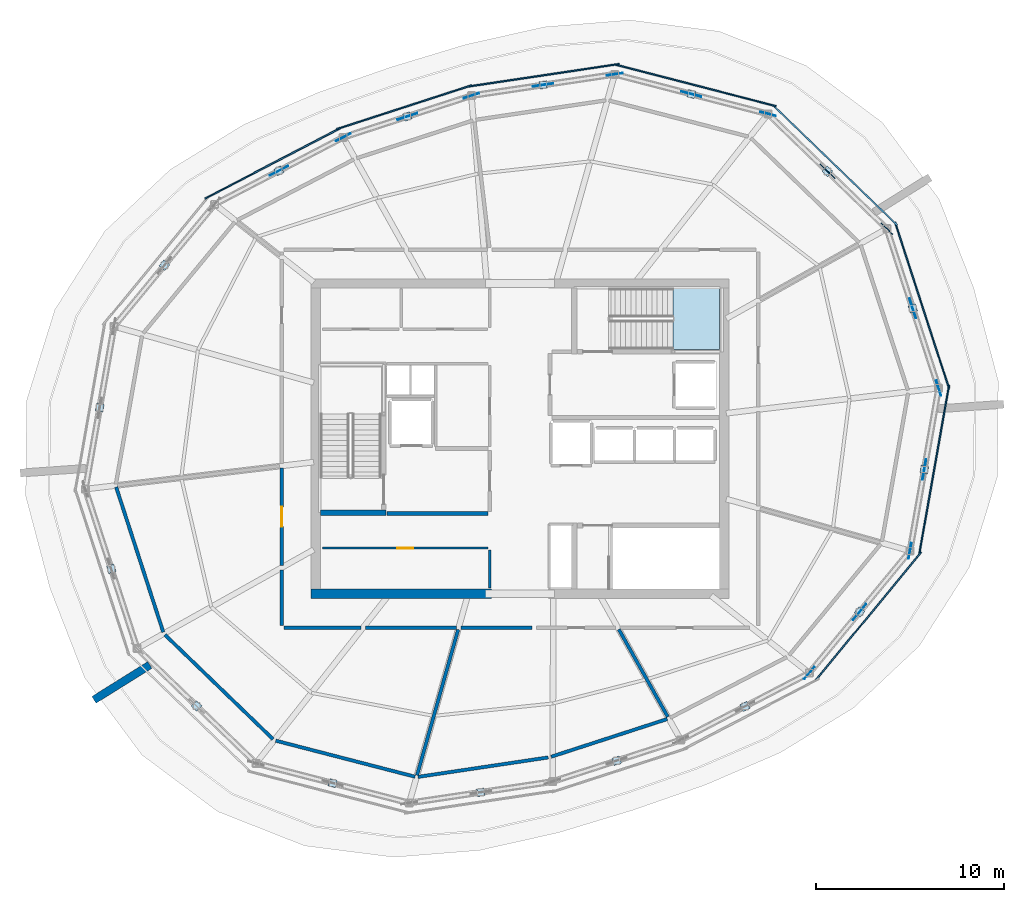
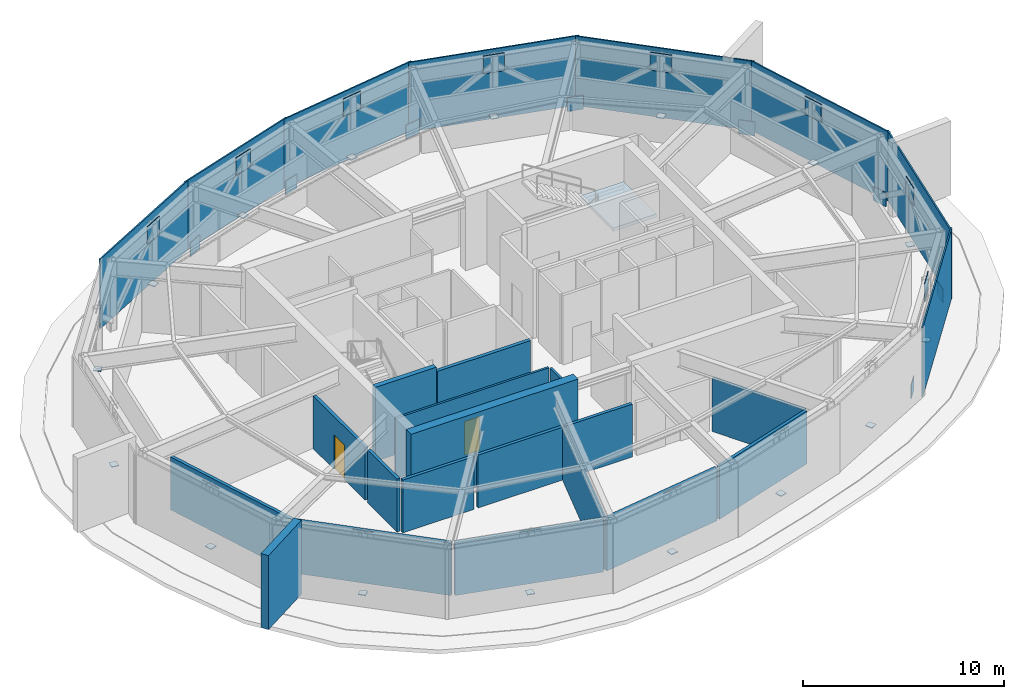
# One storey, part 10 of 14: 40 plates, 18 walls, 2 doors, 1 slab, 2 openings, 1 element without a shape of its own.
"""IFC4 building model written with IfcOpenShell, lengths in metres."""

from ifc_helpers import new_model, si_unit, direction, frame, frame_2d, origin, origin_2d, place, context, subcontext, project, spatial, polyline, rectangle, outline, extrude, material, layer, layer_set, type_object, element, fill, aggregate, save


model = new_model("IFC4")

# Units and contexts
model_context = context("Model", 3, precision=1e-05, world=origin(), true_north=direction((0.0, 1.0)))
body_context = subcontext(model_context, "Body", "Model", "MODEL_VIEW")
ifc_project = project(units=[si_unit("LENGTHUNIT", "METRE"), si_unit("AREAUNIT", "SQUARE_METRE"), si_unit("VOLUMEUNIT", "CUBIC_METRE"), si_unit("PLANEANGLEUNIT", "RADIAN"), si_unit("MASSUNIT", "GRAM", prefix="KILO")], contexts=[model_context])

# Site, building, storey
site_placement = place(None, origin())
site = spatial("IfcSite", under=ifc_project, at=site_placement, CompositionType="ELEMENT")
building_placement = place(site_placement, origin())
building = spatial("IfcBuilding", under=site, at=building_placement, Name="Kazma Halo Residences", CompositionType="ELEMENT")
storey_placement = place(building_placement, frame((0.0, 0.0, 351.5)))
storey = spatial("IfcBuildingStorey", under=building, at=storey_placement, Name="L88", CompositionType="ELEMENT", Elevation=351.5)

# Plates
ifc_material_1 = material(Name="Aluminium AW-6063 T6 Perforated Acoustic Louvre Screen", Category="aluminium")
ifc_layer_1 = layer(ifc_material_1, 0.080078125)
ifc_layer_set_1 = layer_set([ifc_layer_1], Name="Aluminium AW-6063 T6 Perforated Acoustic Louvre Screen")
plate_type_1 = type_object("IfcPlateType", Name="PLT-CROWN-LOUVRE", PredefinedType="SHEET", material=ifc_layer_set_1)
plate_1_placement = place(storey_placement, frame((65.17578125, 56.556640625, 0.0), z_axis=(0.0, 0.0, 1.0), x_axis=(-0.719342064482, 0.694656025863, 0.0)))
element("IfcPlate", 1, at=plate_1_placement, inside=storey, type_object=plate_type_1, Name="L88 pale-metal acoustic louvre screen 01", PredefinedType="SHEET", context=body_context, shape_type="SweptSolid", body=[
    extrude(rectangle(XDim=9.1904296875, YDim=0.080078125, at=origin_2d()), origin(), (0.0, 0.0, 1.0), 4.219970703125),
])
plate_2_placement = place(storey_placement, frame((57.781982421875, 60.789306640625, 0.0), z_axis=(0.0, 0.0, 1.0), x_axis=(-0.968124370805, 0.250469963576, 0.0)))
element("IfcPlate", 2, at=plate_2_placement, inside=storey, type_object=plate_type_1, Name="L88 pale-metal acoustic louvre screen 02", PredefinedType="SHEET", context=body_context, shape_type="SweptSolid", body=[
    extrude(rectangle(XDim=8.8193359375, YDim=0.080078125, at=origin_2d()), origin(), (0.0, 0.0, 1.0), 4.219970703125),
])
plate_3_placement = place(storey_placement, frame((49.69921875, 61.3310546875, 0.0), z_axis=(0.0, 0.0, 1.0), x_axis=(-0.98903421845, -0.147686542161, 0.0)))
element("IfcPlate", 3, at=plate_3_placement, inside=storey, type_object=plate_type_1, Name="L88 pale-metal acoustic louvre screen 03", PredefinedType="SHEET", context=body_context, shape_type="SweptSolid", body=[
    extrude(rectangle(XDim=8.110107421875, YDim=0.080078125, at=origin_2d()), origin(), (0.0, 0.0, 1.0), 4.219970703125),
])
plate_4_placement = place(storey_placement, frame((42.271484375, 59.630615234375, 0.0), z_axis=(0.0, 0.0, 1.0), x_axis=(-0.951058260985, -0.309011624721, 0.0)))
element("IfcPlate", 4, at=plate_4_placement, inside=storey, type_object=plate_type_1, Name="L88 pale-metal acoustic louvre screen 04", PredefinedType="SHEET", context=body_context, shape_type="SweptSolid", body=[
    extrude(rectangle(XDim=7.568115234375, YDim=0.080078125, at=origin_2d()), origin(), (0.0, 0.0, 1.0), 4.219970703125),
])
plate_5_placement = place(storey_placement, frame((35.262939453125, 56.640380859375, 0.0), z_axis=(0.0, 0.0, 1.0), x_axis=(-0.886949727325, -0.461865977529, 0.0)))
element("IfcPlate", 5, at=plate_5_placement, inside=storey, type_object=plate_type_1, Name="L88 pale-metal acoustic louvre screen 05", PredefinedType="SHEET", context=body_context, shape_type="SweptSolid", body=[
    extrude(rectangle(XDim=8.110107421875, YDim=0.080078125, at=origin_2d()), origin(), (0.0, 0.0, 1.0), 4.219970703125),
])
plate_6_placement = place(storey_placement, frame((66.9580078125, 32.548828125, 0.0), z_axis=(0.0, 0.0, 1.0), x_axis=(0.636007787073, 0.771682638643, 0.0)))
element("IfcPlate", 6, at=plate_6_placement, inside=storey, type_object=plate_type_1, Name="L88 pale-metal acoustic louvre screen 14", PredefinedType="SHEET", context=body_context, shape_type="SweptSolid", body=[
    extrude(rectangle(XDim=8.8193359375, YDim=0.080078125, at=origin_2d()), origin(), (0.0, 0.0, 1.0), 4.219970703125),
])
plate_7_placement = place(storey_placement, frame((70.45166015625, 40.319091796875, 0.0), z_axis=(0.0, 0.0, 1.0), x_axis=(0.173656186938, 0.984806340728, 0.0)))
element("IfcPlate", 7, at=plate_7_placement, inside=storey, type_object=plate_type_1, Name="L88 pale-metal acoustic louvre screen 15", PredefinedType="SHEET", context=body_context, shape_type="SweptSolid", body=[
    extrude(rectangle(XDim=9.1904296875, YDim=0.080078125, at=origin_2d()), origin(), (0.0, 0.0, 1.0), 4.219970703125),
])
plate_8_placement = place(storey_placement, frame((69.81298828125, 49.08740234375, 0.0), z_axis=(0.0, 0.0, 1.0), x_axis=(-0.309022680214, 0.951054668835, 0.0)))
element("IfcPlate", 8, at=plate_8_placement, inside=storey, type_object=plate_type_1, Name="L88 pale-metal acoustic louvre screen 16", PredefinedType="SHEET", context=body_context, shape_type="SweptSolid", body=[
    extrude(rectangle(XDim=9.3173828125, YDim=0.080078125, at=origin_2d()), origin(), (0.0, 0.0, 1.0), 4.219970703125),
])
ifc_material_2 = material(Name="Steel S355", Category="steel")
ifc_layer_2 = layer(ifc_material_2, 0.0400390625)
ifc_layer_set_2 = layer_set([ifc_layer_2], Name="Steel S355")
plate_type_2 = type_object("IfcPlateType", Name="PLT-GUSSET-40", PredefinedType="SHEET", material=ifc_layer_set_2)
plate_9_placement = place(storey_placement, frame((64.779052734375, 56.220458984375, 0.43994140625), z_axis=(0.0, 0.0, 1.0), x_axis=(-0.719342064482, 0.694656025863, 0.0)))
element("IfcPlate", 9, at=plate_9_placement, inside=storey, type_object=plate_type_2, Name="L88 belt-truss post welded cap plate 01", PredefinedType="SHEET", context=body_context, shape_type="SweptSolid", body=[
    extrude(rectangle(XDim=0.39990234375, YDim=0.39990234375, at=origin_2d()), origin(), (0.0, 0.0, 1.0), 0.0400390625),
])
plate_10_placement = place(storey_placement, frame((64.779052734375, 56.220458984375, 3.14990234375), z_axis=(0.0, 0.0, 1.0), x_axis=(-0.719342064482, 0.694656025863, 0.0)))
element("IfcPlate", 10, at=plate_10_placement, inside=storey, type_object=plate_type_2, Name="L88 belt-truss apex gusset plate 01", PredefinedType="SHEET", context=body_context, shape_type="SweptSolid", body=[
    extrude(rectangle(XDim=1.10009765625, YDim=0.0400390625, at=origin_2d()), origin(), (0.0, 0.0, 1.0), 1.10009765625),
])
plate_11_placement = place(storey_placement, frame((67.940673828125, 53.167236328125, 0.054931640625), z_axis=(0.0, 0.0, 1.0), x_axis=(-0.719342064482, 0.694656025863, 0.0)))
element("IfcPlate", 11, at=plate_11_placement, inside=storey, type_object=plate_type_2, Name="L88 belt-truss column gusset plate 01", PredefinedType="SHEET", context=body_context, shape_type="SweptSolid", body=[
    extrude(rectangle(XDim=0.85009765625, YDim=0.0400390625, at=origin_2d()), origin(), (0.0, 0.0, 1.0), 0.85009765625),
])
plate_12_placement = place(storey_placement, frame((57.5419921875, 60.327880859375, 0.43994140625), z_axis=(0.0, 0.0, 1.0), x_axis=(-0.968124370805, 0.250469963576, 0.0)))
element("IfcPlate", 12, at=plate_12_placement, inside=storey, type_object=plate_type_2, Name="L88 belt-truss post welded cap plate 02", PredefinedType="SHEET", context=body_context, shape_type="SweptSolid", body=[
    extrude(rectangle(XDim=0.39990234375, YDim=0.39990234375, at=origin_2d()), origin(), (0.0, 0.0, 1.0), 0.0400390625),
])
plate_13_placement = place(storey_placement, frame((57.5419921875, 60.327880859375, 3.14990234375), z_axis=(0.0, 0.0, 1.0), x_axis=(-0.968124370805, 0.250469963576, 0.0)))
element("IfcPlate", 13, at=plate_13_placement, inside=storey, type_object=plate_type_2, Name="L88 belt-truss apex gusset plate 02", PredefinedType="SHEET", context=body_context, shape_type="SweptSolid", body=[
    extrude(rectangle(XDim=1.10009765625, YDim=0.0400390625, at=origin_2d()), origin(), (0.0, 0.0, 1.0), 1.10009765625),
])
plate_14_placement = place(storey_placement, frame((61.617431640625, 59.273681640625, 0.054931640625), z_axis=(0.0, 0.0, 1.0), x_axis=(-0.968124370805, 0.250469963576, 0.0)))
element("IfcPlate", 14, at=plate_14_placement, inside=storey, type_object=plate_type_2, Name="L88 belt-truss column gusset plate 02", PredefinedType="SHEET", context=body_context, shape_type="SweptSolid", body=[
    extrude(rectangle(XDim=0.85009765625, YDim=0.0400390625, at=origin_2d()), origin(), (0.0, 0.0, 1.0), 0.85009765625),
])
plate_15_placement = place(storey_placement, frame((49.653564453125, 60.81298828125, 0.43994140625), z_axis=(0.0, 0.0, 1.0), x_axis=(-0.98903421845, -0.147686542161, 0.0)))
element("IfcPlate", 15, at=plate_15_placement, inside=storey, type_object=plate_type_2, Name="L88 belt-truss post welded cap plate 03", PredefinedType="SHEET", context=body_context, shape_type="SweptSolid", body=[
    extrude(rectangle(XDim=0.39990234375, YDim=0.39990234375, at=origin_2d()), origin(), (0.0, 0.0, 1.0), 0.0400390625),
])
plate_16_placement = place(storey_placement, frame((49.653564453125, 60.81298828125, 3.14990234375), z_axis=(0.0, 0.0, 1.0), x_axis=(-0.98903421845, -0.147686542161, 0.0)))
element("IfcPlate", 16, at=plate_16_placement, inside=storey, type_object=plate_type_2, Name="L88 belt-truss apex gusset plate 03", PredefinedType="SHEET", context=body_context, shape_type="SweptSolid", body=[
    extrude(rectangle(XDim=1.10009765625, YDim=0.0400390625, at=origin_2d()), origin(), (0.0, 0.0, 1.0), 1.10009765625),
])
plate_17_placement = place(storey_placement, frame((53.46630859375, 61.38232421875, 0.054931640625), z_axis=(0.0, 0.0, 1.0), x_axis=(-0.98903421845, -0.147686542161, 0.0)))
element("IfcPlate", 17, at=plate_17_placement, inside=storey, type_object=plate_type_2, Name="L88 belt-truss column gusset plate 03", PredefinedType="SHEET", context=body_context, shape_type="SweptSolid", body=[
    extrude(rectangle(XDim=0.85009765625, YDim=0.0400390625, at=origin_2d()), origin(), (0.0, 0.0, 1.0), 0.85009765625),
])
plate_18_placement = place(storey_placement, frame((42.43212890625, 59.13623046875, 0.43994140625), z_axis=(0.0, 0.0, 1.0), x_axis=(-0.951058260985, -0.309011624721, 0.0)))
element("IfcPlate", 18, at=plate_18_placement, inside=storey, type_object=plate_type_2, Name="L88 belt-truss post welded cap plate 04", PredefinedType="SHEET", context=body_context, shape_type="SweptSolid", body=[
    extrude(rectangle(XDim=0.39990234375, YDim=0.39990234375, at=origin_2d()), origin(), (0.0, 0.0, 1.0), 0.0400390625),
])
plate_19_placement = place(storey_placement, frame((42.43212890625, 59.13623046875, 3.14990234375), z_axis=(0.0, 0.0, 1.0), x_axis=(-0.951058260985, -0.309011624721, 0.0)))
element("IfcPlate", 19, at=plate_19_placement, inside=storey, type_object=plate_type_2, Name="L88 belt-truss apex gusset plate 04", PredefinedType="SHEET", context=body_context, shape_type="SweptSolid", body=[
    extrude(rectangle(XDim=1.10009765625, YDim=0.0400390625, at=origin_2d()), origin(), (0.0, 0.0, 1.0), 1.10009765625),
])
plate_20_placement = place(storey_placement, frame((45.8408203125, 60.24365234375, 0.054931640625), z_axis=(0.0, 0.0, 1.0), x_axis=(-0.951058260985, -0.309011624721, 0.0)))
element("IfcPlate", 20, at=plate_20_placement, inside=storey, type_object=plate_type_2, Name="L88 belt-truss column gusset plate 04", PredefinedType="SHEET", context=body_context, shape_type="SweptSolid", body=[
    extrude(rectangle(XDim=0.85009765625, YDim=0.0400390625, at=origin_2d()), origin(), (0.0, 0.0, 1.0), 0.85009765625),
])
plate_21_placement = place(storey_placement, frame((35.604248046875, 56.248046875, 0.43994140625), z_axis=(0.0, 0.0, 1.0), x_axis=(-0.886949727325, -0.461865977529, 0.0)))
element("IfcPlate", 21, at=plate_21_placement, inside=storey, type_object=plate_type_2, Name="L88 belt-truss post welded cap plate 05", PredefinedType="SHEET", context=body_context, shape_type="SweptSolid", body=[
    extrude(rectangle(XDim=0.39990234375, YDim=0.39990234375, at=origin_2d()), origin(), (0.0, 0.0, 1.0), 0.0400390625),
])
plate_22_placement = place(storey_placement, frame((35.604248046875, 56.248046875, 3.14990234375), z_axis=(0.0, 0.0, 1.0), x_axis=(-0.886949727325, -0.461865977529, 0.0)))
element("IfcPlate", 22, at=plate_22_placement, inside=storey, type_object=plate_type_2, Name="L88 belt-truss apex gusset plate 05", PredefinedType="SHEET", context=body_context, shape_type="SweptSolid", body=[
    extrude(rectangle(XDim=1.10009765625, YDim=0.0400390625, at=origin_2d()), origin(), (0.0, 0.0, 1.0), 1.10009765625),
])
plate_23_placement = place(storey_placement, frame((39.0234375, 58.02880859375, 0.054931640625), z_axis=(0.0, 0.0, 1.0), x_axis=(-0.886949727325, -0.461865977529, 0.0)))
element("IfcPlate", 23, at=plate_23_placement, inside=storey, type_object=plate_type_2, Name="L88 belt-truss column gusset plate 05", PredefinedType="SHEET", context=body_context, shape_type="SweptSolid", body=[
    extrude(rectangle(XDim=0.85009765625, YDim=0.0400390625, at=origin_2d()), origin(), (0.0, 0.0, 1.0), 0.85009765625),
])
for number, where, z_axis, x_axis, name in (
    (24, (29.507568359375, 51.218994140625, 0.43994140625), (0.0, 0.0, 1.0), (-0.636007787073, -0.771682638643, 0.0), "L88 belt-truss post welded cap plate 06"),
    (25, (26.06689453125, 43.64208984375, 0.43994140625), (0.0, 0.0, 1.0), (-0.173656186938, -0.984806340728, 0.0), "L88 belt-truss post welded cap plate 07"),
    (26, (26.681396484375, 35.0732421875, 0.43994140625), (0.0, 0.0, 1.0), (0.309022680214, -0.951054668835, 0.0), "L88 belt-truss post welded cap plate 08"),
    (27, (31.220947265625, 27.779541015625, 0.43994140625), (0.0, 0.0, 1.0), (0.719342064482, -0.694656025863, 0.0), "L88 belt-truss post welded cap plate 09"),
    (28, (38.4580078125, 23.672119140625, 0.43994140625), (0.0, 0.0, 1.0), (0.968124370805, -0.250469963576, 0.0), "L88 belt-truss post welded cap plate 10"),
    (29, (46.346435546875, 23.18701171875, 0.43994140625), (0.0, 0.0, 1.0), (0.98903421845, 0.147686542161, 0.0), "L88 belt-truss post welded cap plate 11"),
    (30, (53.56787109375, 24.86376953125, 0.43994140625), (0.0, 0.0, 1.0), (0.951058260985, 0.309011624721, 0.0), "L88 belt-truss post welded cap plate 12"),
    (31, (60.395751953125, 27.751708984375, 0.43994140625), (0.0, 0.0, 1.0), (0.886949727325, 0.461865977529, 0.0), "L88 belt-truss post welded cap plate 13"),
    (32, (66.492431640625, 32.781005859375, 0.43994140625), (0.0, 0.0, 1.0), (0.636007787073, 0.771682638643, 0.0), "L88 belt-truss post welded cap plate 14"),
):
    element("IfcPlate", number, at=place(storey_placement, frame(where, z_axis=z_axis, x_axis=x_axis)), inside=storey, type_object=plate_type_2, Name=name, PredefinedType="SHEET", context=body_context, shape_type="SweptSolid", body=[
        extrude(rectangle(XDim=0.39990234375, YDim=0.39990234375, at=origin_2d()), origin(), (0.0, 0.0, 1.0), 0.0400390625),
    ])
plate_24_placement = place(storey_placement, frame((66.492431640625, 32.781005859375, 3.14990234375), z_axis=(0.0, 0.0, 1.0), x_axis=(0.636007787073, 0.771682638643, 0.0)))
element("IfcPlate", 33, at=plate_24_placement, inside=storey, type_object=plate_type_2, Name="L88 belt-truss apex gusset plate 14", PredefinedType="SHEET", context=body_context, shape_type="SweptSolid", body=[
    extrude(rectangle(XDim=1.10009765625, YDim=0.0400390625, at=origin_2d()), origin(), (0.0, 0.0, 1.0), 1.10009765625),
])
plate_25_placement = place(storey_placement, frame((63.815185546875, 29.532470703125, 0.054931640625), z_axis=(0.0, 0.0, 1.0), x_axis=(0.636007787073, 0.771682638643, 0.0)))
element("IfcPlate", 34, at=plate_25_placement, inside=storey, type_object=plate_type_2, Name="L88 belt-truss column gusset plate 14", PredefinedType="SHEET", context=body_context, shape_type="SweptSolid", body=[
    extrude(rectangle(XDim=0.85009765625, YDim=0.0400390625, at=origin_2d()), origin(), (0.0, 0.0, 1.0), 0.85009765625),
])
plate_26_placement = place(storey_placement, frame((69.93310546875, 40.35791015625, 0.43994140625), z_axis=(0.0, 0.0, 1.0), x_axis=(0.173656186938, 0.984806340728, 0.0)))
element("IfcPlate", 35, at=plate_26_placement, inside=storey, type_object=plate_type_2, Name="L88 belt-truss post welded cap plate 15", PredefinedType="SHEET", context=body_context, shape_type="SweptSolid", body=[
    extrude(rectangle(XDim=0.39990234375, YDim=0.39990234375, at=origin_2d()), origin(), (0.0, 0.0, 1.0), 0.0400390625),
])
plate_27_placement = place(storey_placement, frame((69.93310546875, 40.35791015625, 3.14990234375), z_axis=(0.0, 0.0, 1.0), x_axis=(0.173656186938, 0.984806340728, 0.0)))
element("IfcPlate", 36, at=plate_27_placement, inside=storey, type_object=plate_type_2, Name="L88 belt-truss apex gusset plate 15", PredefinedType="SHEET", context=body_context, shape_type="SweptSolid", body=[
    extrude(rectangle(XDim=1.10009765625, YDim=0.0400390625, at=origin_2d()), origin(), (0.0, 0.0, 1.0), 1.10009765625),
])
plate_28_placement = place(storey_placement, frame((69.169921875, 36.029541015625, 0.054931640625), z_axis=(0.0, 0.0, 1.0), x_axis=(0.173656186938, 0.984806340728, 0.0)))
element("IfcPlate", 37, at=plate_28_placement, inside=storey, type_object=plate_type_2, Name="L88 belt-truss column gusset plate 15", PredefinedType="SHEET", context=body_context, shape_type="SweptSolid", body=[
    extrude(rectangle(XDim=0.85009765625, YDim=0.0400390625, at=origin_2d()), origin(), (0.0, 0.0, 1.0), 0.85009765625),
])
plate_29_placement = place(storey_placement, frame((69.318603515625, 48.9267578125, 0.43994140625), z_axis=(0.0, 0.0, 1.0), x_axis=(-0.309022680214, 0.951054668835, 0.0)))
element("IfcPlate", 38, at=plate_29_placement, inside=storey, type_object=plate_type_2, Name="L88 belt-truss post welded cap plate 16", PredefinedType="SHEET", context=body_context, shape_type="SweptSolid", body=[
    extrude(rectangle(XDim=0.39990234375, YDim=0.39990234375, at=origin_2d()), origin(), (0.0, 0.0, 1.0), 0.0400390625),
])
plate_30_placement = place(storey_placement, frame((69.318603515625, 48.9267578125, 3.14990234375), z_axis=(0.0, 0.0, 1.0), x_axis=(-0.309022680214, 0.951054668835, 0.0)))
element("IfcPlate", 39, at=plate_30_placement, inside=storey, type_object=plate_type_2, Name="L88 belt-truss apex gusset plate 16", PredefinedType="SHEET", context=body_context, shape_type="SweptSolid", body=[
    extrude(rectangle(XDim=1.10009765625, YDim=0.0400390625, at=origin_2d()), origin(), (0.0, 0.0, 1.0), 1.10009765625),
])
plate_31_placement = place(storey_placement, frame((70.6962890625, 44.686279296875, 0.054931640625), z_axis=(0.0, 0.0, 1.0), x_axis=(-0.309022680214, 0.951054668835, 0.0)))
element("IfcPlate", 40, at=plate_31_placement, inside=storey, type_object=plate_type_2, Name="L88 belt-truss column gusset plate 16", PredefinedType="SHEET", context=body_context, shape_type="SweptSolid", body=[
    extrude(rectangle(XDim=0.85009765625, YDim=0.0400390625, at=origin_2d()), origin(), (0.0, 0.0, 1.0), 0.85009765625),
])

# Stair, slab
ifc_material_3 = material(Name="Concrete C50/60", Category="concrete")
stair_type = type_object("IfcStairType", Name="STR-CRWN", PredefinedType="HALF_TURN_STAIR", material=ifc_material_3)
stair_placement = place(storey_placement, origin())
stair = element("IfcStair", 41, at=stair_placement, inside=storey, type_object=stair_type, Name="L88 Core exit stair ST-02", PredefinedType="HALF_TURN_STAIR")
ifc_layer_3 = layer(ifc_material_3, 0.199951171875)
ifc_layer_set_3 = layer_set([ifc_layer_3], Name="Concrete C50/60")
slab_type = type_object("IfcSlabType", Name="SLB-STAIR-LND-200", PredefinedType="LANDING", material=ifc_layer_set_3)
slab_placement = place(storey_placement, frame((0.0, 0.0, 2.050048828125)))
slab = element("IfcSlab", 42, at=slab_placement, type_object=slab_type, Name="ST-02 landing 1", PredefinedType="LANDING", context=body_context, shape_type="SweptSolid", body=[
    extrude(outline(polyline([(56.56005859375, 46.75), (59.050048828125, 46.75), (59.050048828125, 50.0), (56.56005859375, 50.0), (56.56005859375, 46.75)])), origin(), (0.0, 0.0, 1.0), 0.199951171875),
])
aggregate(stair, [slab])

# Walls
ifc_material_4 = material(Name="Pale Concrete C60/75", Category="concrete")
ifc_layer_4 = layer(ifc_material_4, 0.419921875)
ifc_layer_set_4 = layer_set([ifc_layer_4], Name="Pale Concrete C60/75")
wall_type_1 = type_object("IfcWallType", Name="WL-BLADE-420", PredefinedType="SOLIDWALL", material=ifc_layer_set_4)
wall_1_placement = place(storey_placement, frame((28.731201171875, 29.95947265625, 0.0), z_axis=(0.0, 0.0, 1.0), x_axis=(-0.848033572426, -0.529942506352, 0.0)))
element("IfcWall", 43, at=wall_1_placement, inside=storey, type_object=wall_type_1, Name="L88 pale concrete structural blade fin wall BW-03", PredefinedType="SOLIDWALL", context=body_context, shape_type="SweptSolid", body=[
    extrude(rectangle(XDim=3.5, YDim=0.419921875, at=frame_2d((1.75, 0.0))), origin(), (0.0, 0.0, 1.0), 4.5),
])
ifc_material_5 = material(Name="Concrete C60/75", Category="concrete")
ifc_layer_5 = layer(ifc_material_5, 0.5)
ifc_layer_set_5 = layer_set([ifc_layer_5], Name="Concrete C60/75")
wall_type_2 = type_object("IfcWallType", Name="WL-CORE-500", PredefinedType="SHEAR", material=ifc_layer_set_5)
wall_2_placement = place(storey_placement, frame((37.300048828125, 33.75, 0.0), z_axis=(0.0, 0.0, 1.0), x_axis=(1.0, 0.0, 0.0)))
element("IfcWall", 44, at=wall_2_placement, inside=storey, type_object=wall_type_2, Name="L88 central core shear wall SW", PredefinedType="SHEAR", context=body_context, shape_type="SweptSolid", body=[
    extrude(rectangle(XDim=9.599853515625, YDim=0.5, at=frame_2d((4.7998046875, 0.0))), origin(), (0.0, 0.0, 1.0), 4.5),
])
ifc_layer_6 = layer(ifc_material_5, 0.280029296875)
ifc_layer_set_6 = layer_set([ifc_layer_6], Name="Concrete C60/75")
wall_type_3 = type_object("IfcWallType", Name="WL-CORE-ST-280", PredefinedType="SHEAR", material=ifc_layer_set_6)
wall_3_placement = place(storey_placement, frame((37.800048828125, 38.06005859375, 0.0), z_axis=(0.0, 0.0, 1.0), x_axis=(1.0, 0.0, 0.0)))
element("IfcWall", 45, at=wall_3_placement, inside=storey, type_object=wall_type_3, Name="L88 stairwell bearing wall ST01-S", PredefinedType="SHEAR", context=body_context, shape_type="SweptSolid", body=[
    extrude(rectangle(XDim=3.5, YDim=0.280029296875, at=frame_2d((1.75, 0.0))), origin(), (0.0, 0.0, 1.0), 4.5),
])
ifc_material_6 = material(Name="Acoustic Twin-Stud Gypsum")
ifc_layer_7 = layer(ifc_material_6, 0.179931640625)
ifc_layer_set_7 = layer_set([ifc_layer_7], Name="Acoustic Twin-Stud Gypsum")
wall_type_4 = type_object("IfcWallType", Name="WL-DEM-180", PredefinedType="PARTITIONING", material=ifc_layer_set_7)
wall_4_placement = place(storey_placement, frame((26.940673828125, 39.428466796875, 0.0), z_axis=(0.0, 0.0, 1.0), x_axis=(0.309024234991, -0.951054163646, 0.0)))
element("IfcWall", 46, at=wall_4_placement, inside=storey, type_object=wall_type_4, Name="L88 crown plant perimeter wall 07", PredefinedType="PARTITIONING", context=body_context, shape_type="SweptSolid", body=[
    extrude(rectangle(XDim=8.1240234375, YDim=0.179931640625, at=frame_2d((4.06201171875, 0.0))), origin(), (0.0, 0.0, 1.0), 3.212890625),
])
wall_5_placement = place(storey_placement, frame((29.533203125, 31.5703125, 0.0), z_axis=(0.0, 0.0, 1.0), x_axis=(0.719364153135, -0.694633151516, 0.0)))
element("IfcWall", 47, at=wall_5_placement, inside=storey, type_object=wall_type_4, Name="L88 crown plant perimeter wall 08", PredefinedType="PARTITIONING", context=body_context, shape_type="SweptSolid", body=[
    extrude(rectangle(XDim=8.006103515625, YDim=0.179931640625, at=frame_2d((4.0029296875, 0.0))), origin(), (0.0, 0.0, 1.0), 3.212890625),
])
wall_6_placement = place(storey_placement, frame((35.42724609375, 25.93359375, 0.0), z_axis=(0.0, 0.0, 1.0), x_axis=(0.968117205342, -0.250497658115, 0.0)))
element("IfcWall", 48, at=wall_6_placement, inside=storey, type_object=wall_type_4, Name="L88 crown plant perimeter wall 09", PredefinedType="PARTITIONING", context=body_context, shape_type="SweptSolid", body=[
    extrude(rectangle(XDim=7.66162109375, YDim=0.179931640625, at=frame_2d((3.830810546875, 0.0))), origin(), (0.0, 0.0, 1.0), 3.212890625),
])
wall_7_placement = place(storey_placement, frame((43.0009765625, 24.00634765625, 0.0), z_axis=(0.0, 0.0, 1.0), x_axis=(0.989034336252, 0.147685753256, 0.0)))
element("IfcWall", 49, at=wall_7_placement, inside=storey, type_object=wall_type_4, Name="L88 crown plant perimeter wall 10", PredefinedType="PARTITIONING", context=body_context, shape_type="SweptSolid", body=[
    extrude(rectangle(XDim=7.002685546875, YDim=0.179931640625, at=frame_2d((3.50146484375, 0.0))), origin(), (0.0, 0.0, 1.0), 3.212890625),
])
wall_8_placement = place(storey_placement, frame((50.08203125, 25.076904296875, 0.0), z_axis=(0.0, 0.0, 1.0), x_axis=(0.95105283999, 0.309028308649, 0.0)))
element("IfcWall", 50, at=wall_8_placement, inside=storey, type_object=wall_type_4, Name="L88 crown plant perimeter wall 11", PredefinedType="PARTITIONING", context=body_context, shape_type="SweptSolid", body=[
    extrude(rectangle(XDim=6.498779296875, YDim=0.179931640625, at=frame_2d((3.24951171875, 0.0))), origin(), (0.0, 0.0, 1.0), 3.212890625),
])

# Wall, opening, door
wall_9_placement = place(storey_placement, frame((35.75, 40.43017578125, 0.0), z_axis=(0.0, 0.0, 1.0), x_axis=(0.0, -1.0, 0.0)))
wall_9 = element("IfcWall", 51, at=wall_9_placement, inside=storey, type_object=wall_type_4, Name="L88 L88 Heat Recovery Mechanical Plant Room corridor wall", PredefinedType="PARTITIONING", context=body_context, shape_type="SweptSolid", body=[
    extrude(rectangle(XDim=5.17041015625, YDim=0.179931640625, at=frame_2d((2.585205078125, 0.0))), origin(), (0.0, 0.0, 1.0), 3.212890625),
])
opening_1_placement = place(wall_9_placement, frame((2.060302734375, 0.0, 0.0)))
opening_1 = element("IfcOpeningElement", 52, at=opening_1_placement, cuts=wall_9, Name="Opening DF-1050", PredefinedType="OPENING", context=body_context, shape_type="SweptSolid", body=[
    extrude(rectangle(XDim=1.050048828125, YDim=2.10009765625, at=frame_2d((0.52490234375, 1.050048828125))), frame((0.0, 0.099853515625, 0.0), z_axis=(0.0, -1.0, 0.0), x_axis=(1.0, 0.0, 0.0)), (0.0, 0.0, 1.0), 0.199951171875),
])
ifc_material_7 = material(Name="Fire-Rated Steel Leaf", Category="steel")
door_type_1 = type_object("IfcDoorType", Name="DR-FD90-1050", OperationType="NOTDEFINED", PredefinedType="DOOR", material=ifc_material_7)
door_1_placement = place(opening_1_placement, origin())
door_1 = element("IfcDoor", 53, at=door_1_placement, inside=storey, type_object=door_type_1, Name="L88 L88 Heat Recovery Mechanical Plant Room door", OperationType="SINGLE_SWING_LEFT", OverallHeight=2.10009765625, OverallWidth=1.050048828125, PredefinedType="DOOR", context=body_context, shape_type="SweptSolid", body=[
    extrude(rectangle(XDim=1.050048828125, YDim=2.10009765625, at=frame_2d((0.52490234375, 1.050048828125))), frame((0.0, 0.02490234375, 0.0), z_axis=(0.0, -1.0, 0.0), x_axis=(1.0, 0.0, 0.0)), (0.0, 0.0, 1.0), 0.050048828125),
])
fill(opening_1, door_1)

# Walls
wall_10_placement = place(storey_placement, frame((35.75, 35.019775390625, 0.0), z_axis=(0.0, 0.0, 1.0), x_axis=(0.0, -1.0, 0.0)))
element("IfcWall", 54, at=wall_10_placement, inside=storey, type_object=wall_type_4, Name="L88 L88 Heat Recovery Mechanical Plant Room corridor wall", PredefinedType="PARTITIONING", context=body_context, shape_type="SweptSolid", body=[
    extrude(rectangle(XDim=2.94970703125, YDim=0.179931640625, at=frame_2d((1.474853515625, 0.0))), origin(), (0.0, 0.0, 1.0), 3.212890625),
])
wall_11_placement = place(storey_placement, frame((35.8701171875, 31.949951171875, 0.0), z_axis=(0.0, 0.0, 1.0), x_axis=(1.0, 0.0, 0.0)))
element("IfcWall", 55, at=wall_11_placement, inside=storey, type_object=wall_type_4, Name="L88 L88 Heat Recovery Mechanical Plant Room corridor wall", PredefinedType="PARTITIONING", context=body_context, shape_type="SweptSolid", body=[
    extrude(rectangle(XDim=4.087158203125, YDim=0.179931640625, at=frame_2d((2.04345703125, 0.0))), origin(), (0.0, 0.0, 1.0), 3.212890625),
])
wall_12_placement = place(storey_placement, frame((40.197265625, 31.949951171875, 0.0), z_axis=(0.0, 0.0, 1.0), x_axis=(1.0, 0.0, 0.0)))
element("IfcWall", 56, at=wall_12_placement, inside=storey, type_object=wall_type_4, Name="L88 L88 Heat Recovery Mechanical Plant Room corridor wall", PredefinedType="PARTITIONING", context=body_context, shape_type="SweptSolid", body=[
    extrude(rectangle(XDim=4.848388671875, YDim=0.179931640625, at=frame_2d((2.42431640625, 0.0))), origin(), (0.0, 0.0, 1.0), 3.212890625),
])
wall_13_placement = place(storey_placement, frame((45.1357421875, 31.843994140625, 0.0), z_axis=(0.0, 0.0, 1.0), x_axis=(-0.271457285698, -0.962450488099, 0.0)))
element("IfcWall", 57, at=wall_13_placement, inside=storey, type_object=wall_type_4, Name="L88 radial partition wall 10", PredefinedType="PARTITIONING", context=body_context, shape_type="SweptSolid", body=[
    extrude(rectangle(XDim=8.0556640625, YDim=0.179931640625, at=frame_2d((4.02783203125, 0.0))), origin(), (0.0, 0.0, 1.0), 3.212890625),
])
wall_14_placement = place(storey_placement, frame((45.28564453125, 31.949951171875, 0.0), z_axis=(0.0, 0.0, 1.0), x_axis=(1.0, 0.0, 0.0)))
element("IfcWall", 58, at=wall_14_placement, inside=storey, type_object=wall_type_4, Name="L88 L88 Domestic Break Water Tank Room corridor wall", PredefinedType="PARTITIONING", context=body_context, shape_type="SweptSolid", body=[
    extrude(rectangle(XDim=3.783935546875, YDim=0.179931640625, at=frame_2d((1.89208984375, 0.0))), origin(), (0.0, 0.0, 1.0), 3.212890625),
])
wall_15_placement = place(storey_placement, frame((53.681884765625, 31.85400390625, 0.0), z_axis=(0.0, 0.0, 1.0), x_axis=(0.488622869326, -0.872495095443, 0.0)))
element("IfcWall", 59, at=wall_15_placement, inside=storey, type_object=wall_type_4, Name="L88 radial partition wall 12", PredefinedType="PARTITIONING", context=body_context, shape_type="SweptSolid", body=[
    extrude(rectangle(XDim=5.337158203125, YDim=0.179931640625, at=frame_2d((2.66845703125, 0.0))), origin(), (0.0, 0.0, 1.0), 3.212890625),
])
ifc_material_8 = material(Name="Fire-Rated Blockwork Masonry", Category="masonry")
ifc_layer_8 = layer(ifc_material_8, 0.199951171875)
ifc_layer_set_8 = layer_set([ifc_layer_8], Name="Fire-Rated Blockwork Masonry")
wall_type_5 = type_object("IfcWallType", Name="WL-FLB-200", PredefinedType="PARTITIONING", material=ifc_layer_set_8)
wall_16_placement = place(storey_placement, frame((41.35009765625, 38.02001953125, 0.0), z_axis=(0.0, 0.0, 1.0), x_axis=(1.0, 0.0, 0.0)))
element("IfcWall", 60, at=wall_16_placement, inside=storey, type_object=wall_type_5, Name="L88 west firefighting lobby south smoke wall", PredefinedType="PARTITIONING", context=body_context, shape_type="SweptSolid", body=[
    extrude(rectangle(XDim=5.369873046875, YDim=0.199951171875, at=frame_2d((2.68505859375, 0.0))), origin(), (0.0, 0.0, 1.0), 4.219970703125),
])
ifc_material_9 = material(Name="Gypsum Plasterboard Partition")
ifc_layer_9 = layer(ifc_material_9, 0.125)
ifc_layer_set_9 = layer_set([ifc_layer_9], Name="Gypsum Plasterboard Partition")
wall_type_6 = type_object("IfcWallType", Name="WL-PART-125", PredefinedType="PARTITIONING", material=ifc_layer_set_9)
wall_17_placement = place(storey_placement, frame((46.820068359375, 34.050048828125, 0.0), z_axis=(0.0, 0.0, 1.0), x_axis=(0.0, 1.0, 0.0)))
element("IfcWall", 61, at=wall_17_placement, inside=storey, type_object=wall_type_6, Name="L88 reclaimed south east wall", PredefinedType="PARTITIONING", context=body_context, shape_type="SweptSolid", body=[
    extrude(rectangle(XDim=2.030029296875, YDim=0.125, at=frame_2d((1.01513671875, 0.0))), origin(), (0.0, 0.0, 1.0), 3.659912109375),
])

# Wall, opening, door
wall_18_placement = place(storey_placement, frame((37.919921875, 36.179931640625, 0.0), z_axis=(0.0, 0.0, 1.0), x_axis=(1.0, 0.0, 0.0)))
wall_18 = element("IfcWall", 62, at=wall_18_placement, inside=storey, type_object=wall_type_6, Name="L88 reclaimed south front wall", PredefinedType="PARTITIONING", context=body_context, shape_type="SweptSolid", body=[
    extrude(rectangle(XDim=8.800048828125, YDim=0.125, at=frame_2d((4.39990234375, 0.0))), origin(), (0.0, 0.0, 1.0), 3.659912109375),
])
opening_2_placement = place(wall_18_placement, frame((3.97509765625, 0.0, 0.0)))
opening_2 = element("IfcOpeningElement", 63, at=opening_2_placement, cuts=wall_18, Name="Opening DS-850", PredefinedType="OPENING", context=body_context, shape_type="SweptSolid", body=[
    extrude(rectangle(XDim=0.85009765625, YDim=2.06005859375, at=frame_2d((0.425048828125, 1.030029296875))), frame((0.0, 0.072509765625, 0.0), z_axis=(0.0, -1.0, 0.0), x_axis=(1.0, 0.0, 0.0)), (0.0, 0.0, 1.0), 0.14501953125),
])
ifc_material_10 = material(Name="Painted Steel Access Leaf", Category="steel")
door_type_2 = type_object("IfcDoorType", Name="DR-SVC-850", OperationType="NOTDEFINED", PredefinedType="DOOR", material=ifc_material_10)
door_2_placement = place(opening_2_placement, origin())
door_2 = element("IfcDoor", 64, at=door_2_placement, inside=storey, type_object=door_type_2, Name="L88 reclaimed south service door", OperationType="SINGLE_SWING_LEFT", OverallHeight=2.06005859375, OverallWidth=0.85009765625, PredefinedType="DOOR", context=body_context, shape_type="SweptSolid", body=[
    extrude(rectangle(XDim=0.85009765625, YDim=2.06005859375, at=frame_2d((0.425048828125, 1.030029296875))), frame((0.0, 0.02490234375, 0.0), z_axis=(0.0, -1.0, 0.0), x_axis=(1.0, 0.0, 0.0)), (0.0, 0.0, 1.0), 0.050048828125),
])
fill(opening_2, door_2)

save(model, "model.ifc")
